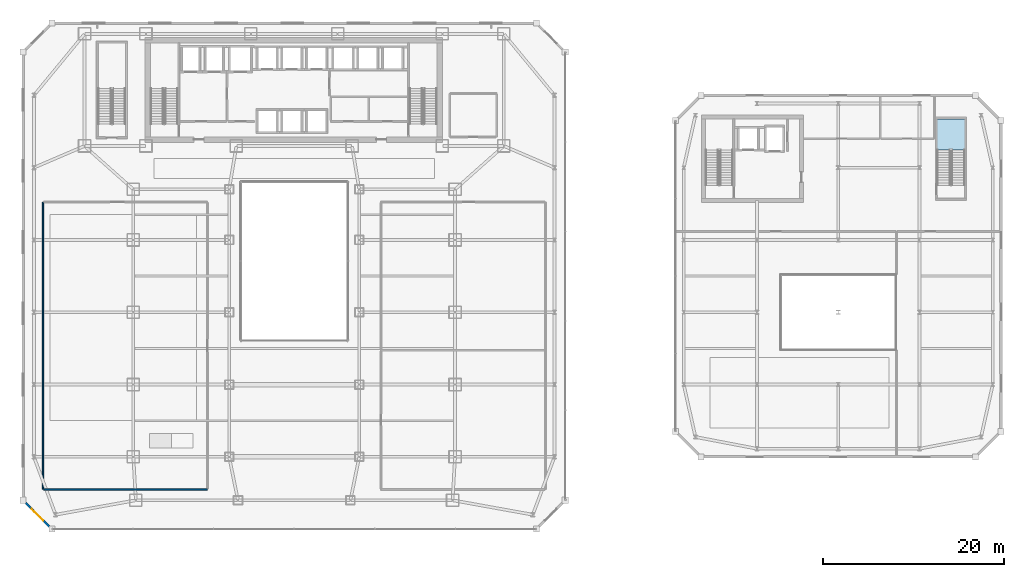
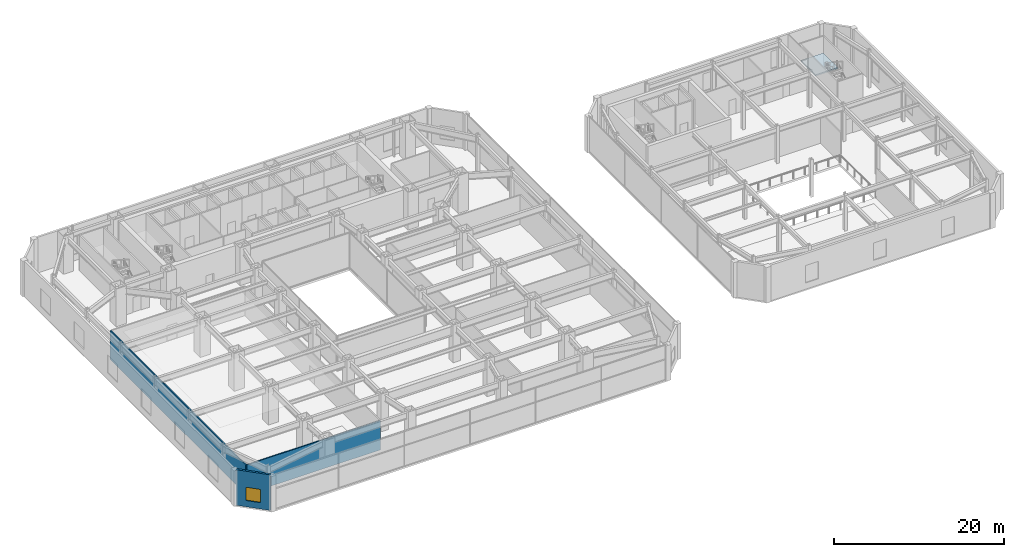
# One storey, part 38 of 52: 3 walls, 1 slab, 1 window, 1 opening, 1 element without a shape of its own.
"""IFC4 building model written with IfcOpenShell, lengths in metres."""

from ifc_helpers import new_model, si_unit, direction, frame, frame_2d, origin, place, context, subcontext, project, spatial, polyline, rectangle, outline, extrude, material, layer, layer_set, type_object, element, fill, aggregate, save


model = new_model("IFC4")

# Units and contexts
model_context = context("Model", 3, precision=1e-05, world=origin(), true_north=direction((0.0, 1.0)))
body_context = subcontext(model_context, "Body", "Model", "MODEL_VIEW")
ifc_project = project(units=[si_unit("LENGTHUNIT", "METRE"), si_unit("AREAUNIT", "SQUARE_METRE"), si_unit("VOLUMEUNIT", "CUBIC_METRE"), si_unit("PLANEANGLEUNIT", "RADIAN"), si_unit("MASSUNIT", "GRAM", prefix="KILO")], contexts=[model_context])

# Site, building, storey
site_placement = place(None, origin())
site = spatial("IfcSite", under=ifc_project, at=site_placement, CompositionType="ELEMENT")
building_placement = place(site_placement, origin())
building = spatial("IfcBuilding", under=site, at=building_placement, Name="Saevonmaru Cultural Tower", CompositionType="ELEMENT")
storey_placement = place(building_placement, frame((0.0, 0.0, 11.39990234375)))
storey = spatial("IfcBuildingStorey", under=building, at=storey_placement, Name="L02", CompositionType="ELEMENT", Elevation=11.39990234375)

# Stair, slab
ifc_material_1 = material(Name="Concrete C40/50", Category="concrete")
stair_type = type_object("IfcStairType", Name="STR-DOGLEG-RC", PredefinedType="HALF_TURN_STAIR", material=ifc_material_1)
stair_placement = place(storey_placement, origin())
stair = element("IfcStair", 1, at=stair_placement, inside=storey, type_object=stair_type, Name="L02 Protected exit stair LST-2", PredefinedType="HALF_TURN_STAIR")
ifc_layer_1 = layer(ifc_material_1, 0.199951171875, Name="Concrete C40/50")
ifc_layer_set_1 = layer_set([ifc_layer_1], Name="Concrete C40/50")
slab_type = type_object("IfcSlabType", Name="SL-STAIR-LANDING", PredefinedType="LANDING", material=ifc_layer_set_1)
slab_placement = place(storey_placement, frame((0.0, 0.0, 2.5)))
slab = element("IfcSlab", 2, at=slab_placement, type_object=slab_type, Name="LST-2-L02 landing 1", PredefinedType="LANDING", context=body_context, shape_type="SweptSolid", body=[
    extrude(outline(polyline([(104.199951171875, 41.969970703125), (104.199951171875, 45.39990234375), (101.14990234375, 45.39990234375), (101.14990234375, 41.969970703125), (104.199951171875, 41.969970703125)])), origin(), (0.0, 0.0, 1.0), 0.2001953125),
])
aggregate(stair, [slab])

# Wall, opening, window
ifc_material_2 = material(Name="Granite-Clad Precast Concrete C40/50", Category="masonry")
ifc_layer_2 = layer(ifc_material_2, 0.260009765625, Name="Granite-Clad Precast Concrete C40/50")
ifc_layer_set_2 = layer_set([ifc_layer_2], Name="Granite-Clad Precast Concrete C40/50")
wall_type_1 = type_object("IfcWallType", Name="WL-EXT-SPANDREL-260", PredefinedType="STANDARD", material=ifc_layer_set_2)
wall_1_placement = place(storey_placement, frame((0.113037109375, 3.0869140625, 0.0), z_axis=(0.0, 0.0, 1.0), x_axis=(0.707106781187, -0.707106781187, 0.0)))
wall_1 = element("IfcWall", 3, at=wall_1_placement, inside=storey, type_object=wall_type_1, Name="L02 Podium Bronze-Granite Exterior Wall E1", PredefinedType="STANDARD", context=body_context, shape_type="SweptSolid", body=[
    extrude(rectangle(XDim=4.205810546875, YDim=0.260009765625, at=frame_2d((2.10302734375, 0.0))), origin(), (0.0, 0.0, 1.0), 5.10009765625),
])
opening_placement = place(wall_1_placement, frame((1.202880859375, 0.0, 0.89990234375)))
opening = element("IfcOpeningElement", 4, at=opening_placement, cuts=wall_1, Name="Opening W-2", PredefinedType="OPENING", context=body_context, shape_type="SweptSolid", body=[
    extrude(rectangle(XDim=1.800048828125, YDim=1.89990234375, at=frame_2d((0.89990234375, 0.949951171875))), frame((0.0, 0.14013671875, 0.0), z_axis=(0.0, -1.0, 0.0), x_axis=(1.0, 0.0, 0.0)), (0.0, 0.0, 1.0), 0.280029296875),
])
ifc_material_3 = material(Name="Satin Bronze Anodised Aluminium", Category="aluminium")
window_type = type_object("IfcWindowType", Name="WN-DECO-1800x1900", PartitioningType="SINGLE_PANEL", PredefinedType="WINDOW", material=ifc_material_3)
window_placement = place(opening_placement, origin())
window = element("IfcWindow", 5, at=window_placement, inside=storey, type_object=window_type, Name="L02 Chamfer Bay Window E1", OverallHeight=1.89990234375, OverallWidth=1.800048828125, PartitioningType="SINGLE_PANEL", PredefinedType="WINDOW", context=body_context, shape_type="SweptSolid", body=[
    extrude(rectangle(XDim=1.800048828125, YDim=1.89990234375, at=frame_2d((0.89990234375, 0.949951171875))), frame((0.0, 0.030029296875, 0.0), z_axis=(0.0, -1.0, 0.0), x_axis=(1.0, 0.0, 0.0)), (0.0, 0.0, 1.0), 0.06005859375),
])
fill(opening, window)

# Walls
ifc_material_4 = material(Name="Gypsum Fireboard Partition", Category="gypsum")
ifc_layer_3 = layer(ifc_material_4, 0.14990234375, Name="Gypsum Fireboard Partition")
ifc_layer_set_3 = layer_set([ifc_layer_3], Name="Gypsum Fireboard Partition")
wall_type_2 = type_object("IfcWallType", Name="WL-PART-FIRE-150", PredefinedType="PARTITIONING", material=ifc_layer_set_3)
wall_2_placement = place(storey_placement, frame((2.199951171875, 4.39990234375, 0.0), z_axis=(0.0, 0.0, 1.0), x_axis=(0.0, 1.0, 0.0)))
element("IfcWall", 6, at=wall_2_placement, inside=storey, type_object=wall_type_2, Name="L02 Chamber Recital Auditorium West Wall", PredefinedType="PARTITIONING", context=body_context, shape_type="SweptSolid", body=[
    extrude(rectangle(XDim=31.800048828125, YDim=0.14990234375, at=frame_2d((15.89990234375, 0.0))), origin(), (0.0, 0.0, 1.0), 4.18505859375),
])
wall_3_placement = place(storey_placement, frame((2.294921875, 4.39990234375, 0.0), z_axis=(0.0, 0.0, 1.0), x_axis=(1.0, 0.0, 0.0)))
element("IfcWall", 7, at=wall_3_placement, inside=storey, type_object=wall_type_2, Name="L02 Chamber Recital Auditorium South Wall", PredefinedType="PARTITIONING", context=body_context, shape_type="SweptSolid", body=[
    extrude(rectangle(XDim=18.10498046875, YDim=0.14990234375, at=frame_2d((9.052490234375, 0.0))), origin(), (0.0, 0.0, 1.0), 4.18505859375),
])

save(model, "model.ifc")
